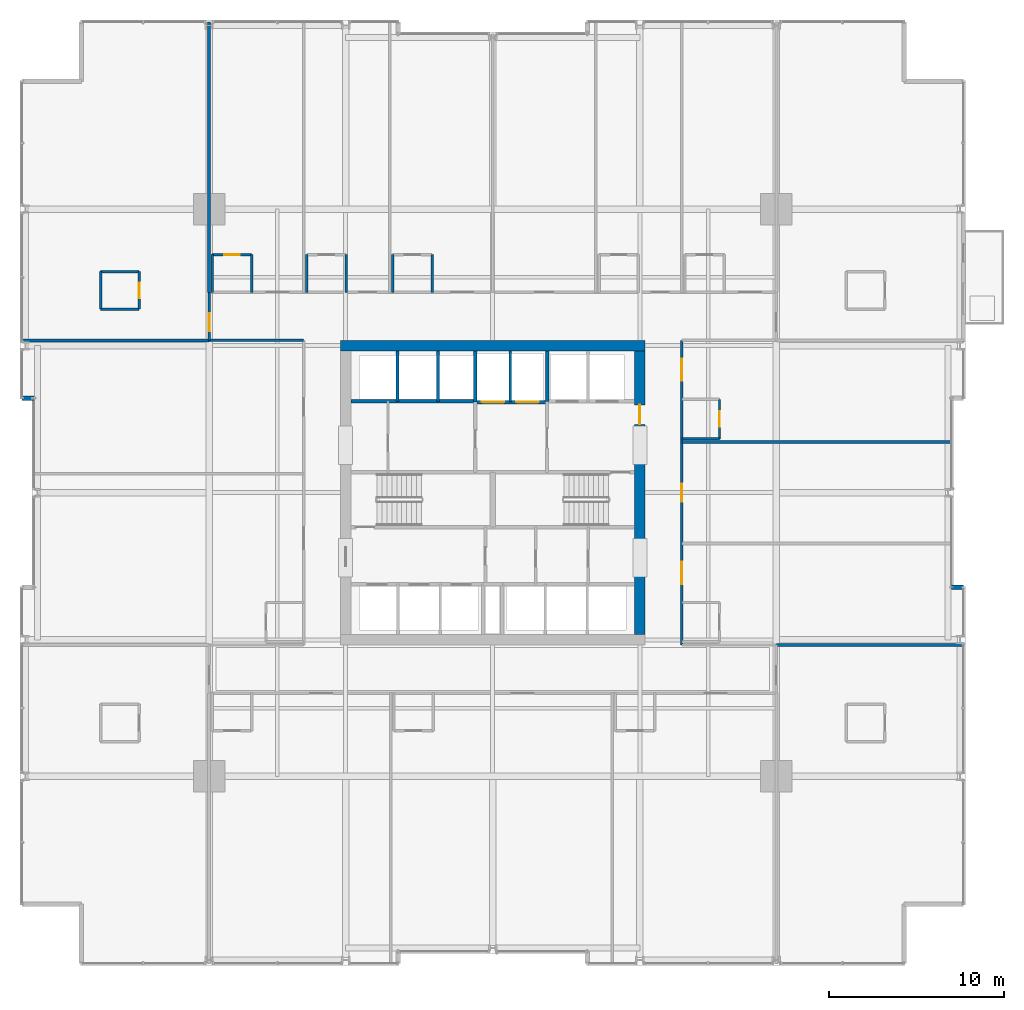
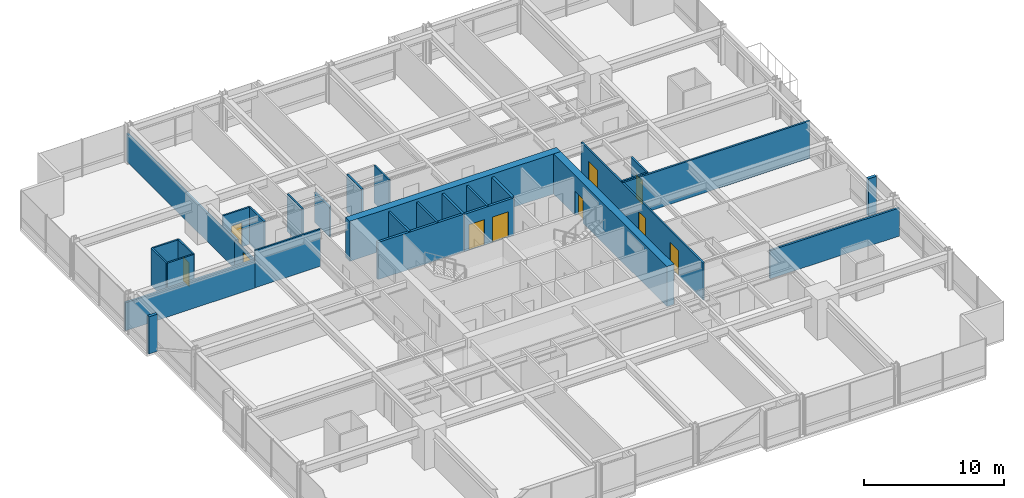
# One storey, part 32 of 38: 31 walls, 10 doors, 10 openings.
"""IFC4 building model written with IfcOpenShell, lengths in metres."""

from ifc_helpers import new_model, si_unit, direction, frame, frame_2d, origin, place, context, subcontext, project, spatial, rectangle, extrude, material, layer, layer_set, type_object, element, fill, save


model = new_model("IFC4")

# Units and contexts
model_context = context("Model", 3, precision=1e-05, world=origin(), true_north=direction((0.0, 1.0)))
body_context = subcontext(model_context, "Body", "Model", "MODEL_VIEW")
ifc_project = project(units=[si_unit("LENGTHUNIT", "METRE"), si_unit("AREAUNIT", "SQUARE_METRE"), si_unit("VOLUMEUNIT", "CUBIC_METRE"), si_unit("PLANEANGLEUNIT", "RADIAN"), si_unit("MASSUNIT", "GRAM", prefix="KILO")], contexts=[model_context])

# Site, building, storey
site_placement = place(None, origin())
site = spatial("IfcSite", under=ifc_project, at=site_placement, CompositionType="ELEMENT")
building_placement = place(site_placement, origin())
building = spatial("IfcBuilding", under=site, at=building_placement, Name="Drelvath Grand Hotel", CompositionType="ELEMENT")
storey_placement = place(building_placement, frame((0.0, 0.0, 64.699951171875)))
storey = spatial("IfcBuildingStorey", under=building, at=storey_placement, Name="L15", CompositionType="ELEMENT", Elevation=64.699951171875)

# Wall
ifc_material_1 = material(Name="Concrete C40/50", Category="concrete")
ifc_layer_1 = layer(ifc_material_1, 0.199951171875)
ifc_layer_set_1 = layer_set([ifc_layer_1], Name="Concrete C40/50")
wall_type_1 = type_object("IfcWallType", Name="Core Hoistway Fire Wall 200", PredefinedType="SOLIDWALL", material=ifc_layer_set_1)
wall_1_placement = place(storey_placement, frame((3.10009765625, 32.219970703125, 0.0), z_axis=(0.0, 0.0, 1.0), x_axis=(0.0, 1.0, 0.0)))
element("IfcWall", 1, at=wall_1_placement, inside=storey, type_object=wall_type_1, Name="L15 FSAE Hoistway West Wall", PredefinedType="SOLIDWALL", context=body_context, shape_type="SweptSolid", body=[
    extrude(rectangle(XDim=2.880126953125, YDim=0.199951171875, at=frame_2d((1.43994140625, 0.0))), origin(), (0.0, 0.0, 1.0), 3.239990234375),
])

# Wall, openings, doors
wall_2_placement = place(storey_placement, frame((-1.0, 32.179931640625, 0.0), z_axis=(0.0, 0.0, 1.0), x_axis=(1.0, 0.0, 0.0)))
wall_2 = element("IfcWall", 2, at=wall_2_placement, inside=storey, type_object=wall_type_1, Name="L15 Service Lift Hoistway Wall", PredefinedType="SOLIDWALL", context=body_context, shape_type="SweptSolid", body=[
    extrude(rectangle(XDim=4.10009765625, YDim=0.199951171875, at=frame_2d((2.050048828125, 0.0))), origin(), (0.0, 0.0, 1.0), 3.239990234375),
])
opening_1_placement = place(wall_2_placement, frame((0.3701171875, 0.0, 0.0)))
opening_1 = element("IfcOpeningElement", 3, at=opening_1_placement, cuts=wall_2, Name="Opening LD-SV-2", PredefinedType="OPENING", context=body_context, shape_type="SweptSolid", body=[
    extrude(rectangle(XDim=1.300048828125, YDim=2.199951171875, at=frame_2d((0.64990234375, 1.10009765625))), frame((0.0, 0.10986328125, 0.0), z_axis=(0.0, -1.0, 0.0), x_axis=(1.0, 0.0, 0.0)), (0.0, 0.0, 1.0), 0.219970703125),
])
opening_2_placement = place(wall_2_placement, frame((2.330078125, 0.0, 0.0)))
opening_2 = element("IfcOpeningElement", 4, at=opening_2_placement, cuts=wall_2, Name="Opening LD-SV-1", PredefinedType="OPENING", context=body_context, shape_type="SweptSolid", body=[
    extrude(rectangle(XDim=1.300048828125, YDim=2.199951171875, at=frame_2d((0.64990234375, 1.10009765625))), frame((0.0, 0.10986328125, 0.0), z_axis=(0.0, -1.0, 0.0), x_axis=(1.0, 0.0, 0.0)), (0.0, 0.0, 1.0), 0.219970703125),
])
ifc_material_2 = material(Name="Stainless Steel S355", Category="steel")
door_type_1 = type_object("IfcDoorType", Name="Service Lift Sliding Landing Door 1300x2200", OperationType="NOTDEFINED", PredefinedType="DOOR", material=ifc_material_2)
door_1_placement = place(opening_1_placement, origin())
door_1 = element("IfcDoor", 5, at=door_1_placement, inside=storey, type_object=door_type_1, Name="L15 Lift SV-2 Landing Door", OperationType="SLIDING_TO_LEFT", OverallHeight=2.199951171875, OverallWidth=1.300048828125, PredefinedType="DOOR", context=body_context, shape_type="SweptSolid", body=[
    extrude(rectangle(XDim=1.300048828125, YDim=2.199951171875, at=frame_2d((0.64990234375, 1.10009765625))), frame((0.0, 0.02490234375, 0.0), z_axis=(0.0, -1.0, 0.0), x_axis=(1.0, 0.0, 0.0)), (0.0, 0.0, 1.0), 0.050048828125),
])
fill(opening_1, door_1)
door_2_placement = place(opening_2_placement, origin())
door_2 = element("IfcDoor", 6, at=door_2_placement, inside=storey, type_object=door_type_1, Name="L15 Lift SV-1 Landing Door", OperationType="SLIDING_TO_LEFT", OverallHeight=2.199951171875, OverallWidth=1.300048828125, PredefinedType="DOOR", context=body_context, shape_type="SweptSolid", body=[
    extrude(rectangle(XDim=1.300048828125, YDim=2.199951171875, at=frame_2d((0.64990234375, 1.10009765625))), frame((0.0, 0.02490234375, 0.0), z_axis=(0.0, -1.0, 0.0), x_axis=(1.0, 0.0, 0.0)), (0.0, 0.0, 1.0), 0.050048828125),
])
fill(opening_2, door_2)

# Walls
wall_3_placement = place(storey_placement, frame((-1.0, 32.179931640625, 0.0), z_axis=(0.0, 0.0, 1.0), x_axis=(0.0, 1.0, 0.0)))
element("IfcWall", 7, at=wall_3_placement, inside=storey, type_object=wall_type_1, Name="L15 Service Lift West Wall", PredefinedType="SOLIDWALL", context=body_context, shape_type="SweptSolid", body=[
    extrude(rectangle(XDim=2.920166015625, YDim=0.199951171875, at=frame_2d((1.4599609375, 0.0))), origin(), (0.0, 0.0, 1.0), 3.239990234375),
])
wall_4_placement = place(storey_placement, frame((-8.10009765625, 32.219970703125, 0.0), z_axis=(0.0, 0.0, 1.0), x_axis=(1.0, 0.0, 0.0)))
element("IfcWall", 8, at=wall_4_placement, inside=storey, type_object=wall_type_1, Name="L15 Bank 3 Hoistway Wall", PredefinedType="SOLIDWALL", context=body_context, shape_type="SweptSolid", body=[
    extrude(rectangle(XDim=7.10009765625, YDim=0.199951171875, at=frame_2d((3.550048828125, 0.0))), origin(), (0.0, 0.0, 1.0), 3.239990234375),
])
ifc_material_3 = material(Name="Gypsum Fireboard Partition")
ifc_layer_2 = layer(ifc_material_3, 0.1650390625)
ifc_layer_set_2 = layer_set([ifc_layer_2], Name="Gypsum Fireboard Partition")
wall_type_2 = type_object("IfcWallType", Name="Core Shaft Partition 165", PredefinedType="PARTITIONING", material=ifc_layer_set_2)
wall_5_placement = place(storey_placement, frame((1.0, 32.179931640625, 0.0), z_axis=(0.0, 0.0, 1.0), x_axis=(0.0, 1.0, 0.0)))
element("IfcWall", 9, at=wall_5_placement, inside=storey, type_object=wall_type_2, Name="L15 Service Lift Divider", PredefinedType="PARTITIONING", context=body_context, shape_type="SweptSolid", body=[
    extrude(rectangle(XDim=2.920166015625, YDim=0.1650390625, at=frame_2d((1.4599609375, 0.0))), origin(), (0.0, 0.0, 1.0), 3.239990234375),
])
for number, where, z_axis, x_axis, name in (
    (10, (-5.43994140625, 32.219970703125, 0.0), (0.0, 0.0, 1.0), (0.0, 1.0, 0.0), "L15 Lift PE-7/8 Divider"),
    (11, (-3.1201171875, 32.219970703125, 0.0), (0.0, 0.0, 1.0), (0.0, 1.0, 0.0), "L15 Lift PE-8/9 Divider"),
):
    element("IfcWall", number, at=place(storey_placement, frame(where, z_axis=z_axis, x_axis=x_axis)), inside=storey, type_object=wall_type_2, Name=name, PredefinedType="PARTITIONING", context=body_context, shape_type="SweptSolid", body=[
        extrude(rectangle(XDim=2.880126953125, YDim=0.1650390625, at=frame_2d((1.43994140625, 0.0))), origin(), (0.0, 0.0, 1.0), 3.239990234375),
    ])
ifc_layer_3 = layer(ifc_material_3, 0.135009765625)
ifc_layer_set_3 = layer_set([ifc_layer_3], Name="Gypsum Fireboard Partition")
wall_type_3 = type_object("IfcWallType", Name="Corridor Fire Barrier Wall 135", PredefinedType="PARTITIONING", material=ifc_layer_set_3)
wall_6_placement = place(storey_placement, frame((-16.199951171875, 35.699951171875, 0.0), z_axis=(0.0, 0.0, 1.0), x_axis=(1.0, 0.0, 0.0)))
element("IfcWall", 12, at=wall_6_placement, inside=storey, type_object=wall_type_3, Name="L15 NW Spur Inner Wall", PredefinedType="PARTITIONING", context=body_context, shape_type="SweptSolid", body=[
    extrude(rectangle(XDim=5.39990234375, YDim=0.135009765625, at=frame_2d((2.699951171875, 0.0))), origin(), (0.0, 0.0, 1.0), 3.239990234375),
])

# Wall, openings, doors
wall_7_placement = place(storey_placement, frame((10.800048828125, 18.300048828125, 0.0), z_axis=(0.0, 0.0, 1.0), x_axis=(0.0, 1.0, 0.0)))
wall_7 = element("IfcWall", 13, at=wall_7_placement, inside=storey, type_object=wall_type_3, Name="L15 East Corridor Wall", PredefinedType="PARTITIONING", context=body_context, shape_type="SweptSolid", body=[
    extrude(rectangle(XDim=17.39990234375, YDim=0.135009765625, at=frame_2d((8.699951171875, 0.0))), origin(), (0.0, 0.0, 1.0), 3.239990234375),
])
opening_3_placement = place(wall_7_placement, frame((3.485107421875, 0.0, 0.0)))
opening_3 = element("IfcOpeningElement", 14, at=opening_3_placement, cuts=wall_7, Name="Opening D-T1G4-047", PredefinedType="OPENING", context=body_context, shape_type="SweptSolid", body=[
    extrude(rectangle(XDim=1.260009765625, YDim=2.199951171875, at=frame_2d((0.6298828125, 1.10009765625))), frame((0.0, 0.077392578125, 0.0), z_axis=(0.0, -1.0, 0.0), x_axis=(1.0, 0.0, 0.0)), (0.0, 0.0, 1.0), 0.155029296875),
])
opening_4_placement = place(wall_7_placement, frame((8.18994140625, 0.0, 0.0)))
opening_4 = element("IfcOpeningElement", 15, at=opening_4_placement, cuts=wall_7, Name="Opening D-T1G4-048", PredefinedType="OPENING", context=body_context, shape_type="SweptSolid", body=[
    extrude(rectangle(XDim=1.02001953125, YDim=2.14990234375, at=frame_2d((0.510009765625, 1.074951171875))), frame((0.0, 0.077392578125, 0.0), z_axis=(0.0, -1.0, 0.0), x_axis=(1.0, 0.0, 0.0)), (0.0, 0.0, 1.0), 0.155029296875),
])
opening_5_placement = place(wall_7_placement, frame((15.0849609375, 0.0, 0.0)))
opening_5 = element("IfcOpeningElement", 16, at=opening_5_placement, cuts=wall_7, Name="Opening D-T1G4-050", PredefinedType="OPENING", context=body_context, shape_type="SweptSolid", body=[
    extrude(rectangle(XDim=1.260009765625, YDim=2.199951171875, at=frame_2d((0.6298828125, 1.10009765625))), frame((0.0, 0.077392578125, 0.0), z_axis=(0.0, -1.0, 0.0), x_axis=(1.0, 0.0, 0.0)), (0.0, 0.0, 1.0), 0.155029296875),
])
ifc_material_4 = material(Name="Hardwood Walnut Timber", Category="wood")
door_type_2 = type_object("IfcDoorType", Name="Amenity Meeting Fire Door 1020x2150", OperationType="NOTDEFINED", PredefinedType="DOOR", material=ifc_material_4)
door_3_placement = place(opening_4_placement, origin())
door_3 = element("IfcDoor", 17, at=door_3_placement, inside=storey, type_object=door_type_2, Name="L15 Hospitality Management Office Entry Door", OperationType="SINGLE_SWING_LEFT", OverallHeight=2.14990234375, OverallWidth=1.02001953125, PredefinedType="DOOR", context=body_context, shape_type="SweptSolid", body=[
    extrude(rectangle(XDim=1.02001953125, YDim=2.14990234375, at=frame_2d((0.510009765625, 1.074951171875))), frame((0.0, 0.02490234375, 0.0), z_axis=(0.0, -1.0, 0.0), x_axis=(1.0, 0.0, 0.0)), (0.0, 0.0, 1.0), 0.050048828125),
])
fill(opening_4, door_3)
door_type_3 = type_object("IfcDoorType", Name="Suite Entrance Fire Door 1260x2200", OperationType="NOTDEFINED", PredefinedType="DOOR", material=ifc_material_4)
door_4_placement = place(opening_3_placement, origin())
door_4 = element("IfcDoor", 18, at=door_4_placement, inside=storey, type_object=door_type_3, Name="L15 Corner Suite Entry Door", OperationType="SINGLE_SWING_RIGHT", OverallHeight=2.199951171875, OverallWidth=1.260009765625, PredefinedType="DOOR", context=body_context, shape_type="SweptSolid", body=[
    extrude(rectangle(XDim=1.260009765625, YDim=2.199951171875, at=frame_2d((0.6298828125, 1.10009765625))), frame((0.0, 0.02490234375, 0.0), z_axis=(0.0, -1.0, 0.0), x_axis=(1.0, 0.0, 0.0)), (0.0, 0.0, 1.0), 0.050048828125),
])
fill(opening_3, door_4)
door_5_placement = place(opening_5_placement, origin())
door_5 = element("IfcDoor", 19, at=door_5_placement, inside=storey, type_object=door_type_3, Name="L15 Corner Suite Entry Door", OperationType="SINGLE_SWING_LEFT", OverallHeight=2.199951171875, OverallWidth=1.260009765625, PredefinedType="DOOR", context=body_context, shape_type="SweptSolid", body=[
    extrude(rectangle(XDim=1.260009765625, YDim=2.199951171875, at=frame_2d((0.6298828125, 1.10009765625))), frame((0.0, 0.02490234375, 0.0), z_axis=(0.0, -1.0, 0.0), x_axis=(1.0, 0.0, 0.0)), (0.0, 0.0, 1.0), 0.050048828125),
])
fill(opening_5, door_5)

# Wall, opening, door
wall_8_placement = place(storey_placement, frame((-16.199951171875, 35.699951171875, 0.0), z_axis=(0.0, 0.0, 1.0), x_axis=(0.0, 1.0, 0.0)))
wall_8 = element("IfcWall", 20, at=wall_8_placement, inside=storey, type_object=wall_type_3, Name="L15 North Corridor West End", PredefinedType="PARTITIONING", context=body_context, shape_type="SweptSolid", body=[
    extrude(rectangle(XDim=2.75, YDim=0.135009765625, at=frame_2d((1.375, 0.0))), origin(), (0.0, 0.0, 1.0), 2.451904296875),
])
opening_6_placement = place(wall_8_placement, frame((0.52001953125, 0.0, 0.0)))
opening_6 = element("IfcOpeningElement", 21, at=opening_6_placement, cuts=wall_8, Name="Opening D-T1G4-023", PredefinedType="OPENING", context=body_context, shape_type="SweptSolid", body=[
    extrude(rectangle(XDim=1.02001953125, YDim=2.14990234375, at=frame_2d((0.510009765625, 1.074951171875))), frame((0.0, 0.077392578125, 0.0), z_axis=(0.0, -1.0, 0.0), x_axis=(1.0, 0.0, 0.0)), (0.0, 0.0, 1.0), 0.155029296875),
])
door_6_placement = place(opening_6_placement, origin())
door_6 = element("IfcDoor", 22, at=door_6_placement, inside=storey, type_object=door_type_2, Name="L15 Corner Suite Entry Door", OperationType="SINGLE_SWING_RIGHT", OverallHeight=2.14990234375, OverallWidth=1.02001953125, PredefinedType="DOOR", context=body_context, shape_type="SweptSolid", body=[
    extrude(rectangle(XDim=1.02001953125, YDim=2.14990234375, at=frame_2d((0.510009765625, 1.074951171875))), frame((0.0, 0.02490234375, 0.0), z_axis=(0.0, -1.0, 0.0), x_axis=(1.0, 0.0, 0.0)), (0.0, 0.0, 1.0), 0.050048828125),
])
fill(opening_6, door_6)

# Walls
ifc_material_5 = material(Name="Moisture-Resistant Gypsum Board")
ifc_layer_4 = layer(ifc_material_5, 0.139892578125)
ifc_layer_set_4 = layer_set([ifc_layer_4], Name="Moisture-Resistant Gypsum Board")
wall_type_4 = type_object("IfcWallType", Name="En-Suite Plumbing Wall 140", PredefinedType="PLUMBINGWALL", material=ifc_layer_set_4)
for number, where, z_axis, x_axis, name in (
    (23, (-22.39990234375, 37.47998046875, 0.0), (0.0, 0.0, 1.0), (1.0, 0.0, 0.0), "L15 Corner En-Suite South"),
    (24, (-22.39990234375, 39.6298828125, 0.0), (0.0, 0.0, 1.0), (1.0, 0.0, 0.0), "L15 Corner En-Suite North"),
):
    element("IfcWall", number, at=place(storey_placement, frame(where, z_axis=z_axis, x_axis=x_axis)), inside=storey, type_object=wall_type_4, Name=name, PredefinedType="PLUMBINGWALL", context=body_context, shape_type="SweptSolid", body=[
        extrude(rectangle(XDim=2.199951171875, YDim=0.139892578125, at=frame_2d((1.10009765625, 0.0))), origin(), (0.0, 0.0, 1.0), 3.239990234375),
    ])
wall_9_placement = place(storey_placement, frame((-22.39990234375, 37.47998046875, 0.0), z_axis=(0.0, 0.0, 1.0), x_axis=(0.0, 1.0, 0.0)))
element("IfcWall", 25, at=wall_9_placement, inside=storey, type_object=wall_type_4, Name="L15 Corner En-Suite West", PredefinedType="PLUMBINGWALL", context=body_context, shape_type="SweptSolid", body=[
    extrude(rectangle(XDim=2.14990234375, YDim=0.139892578125, at=frame_2d((1.074951171875, 0.0))), origin(), (0.0, 0.0, 1.0), 3.239990234375),
])

# Wall, opening, door
wall_10_placement = place(storey_placement, frame((-20.199951171875, 37.47998046875, 0.0), z_axis=(0.0, 0.0, 1.0), x_axis=(0.0, 1.0, 0.0)))
wall_10 = element("IfcWall", 26, at=wall_10_placement, inside=storey, type_object=wall_type_4, Name="L15 Corner En-Suite East", PredefinedType="PLUMBINGWALL", context=body_context, shape_type="SweptSolid", body=[
    extrude(rectangle(XDim=2.14990234375, YDim=0.139892578125, at=frame_2d((1.074951171875, 0.0))), origin(), (0.0, 0.0, 1.0), 3.239990234375),
])
opening_7_placement = place(wall_10_placement, frame((0.6201171875, 0.0, 0.0)))
opening_7 = element("IfcOpeningElement", 27, at=opening_7_placement, cuts=wall_10, Name="Opening D-T1G4-022", PredefinedType="OPENING", context=body_context, shape_type="SweptSolid", body=[
    extrude(rectangle(XDim=0.8798828125, YDim=2.10009765625, at=frame_2d((0.43994140625, 1.050048828125))), frame((0.0, 0.079833984375, 0.0), z_axis=(0.0, -1.0, 0.0), x_axis=(1.0, 0.0, 0.0)), (0.0, 0.0, 1.0), 0.159912109375),
])
door_type_4 = type_object("IfcDoorType", Name="En-Suite Bathroom Door 880x2100", OperationType="NOTDEFINED", PredefinedType="DOOR", material=ifc_material_4)
door_7_placement = place(opening_7_placement, origin())
door_7 = element("IfcDoor", 28, at=door_7_placement, inside=storey, type_object=door_type_4, Name="L15 Corner En-Suite Door", OperationType="SINGLE_SWING_LEFT", OverallHeight=2.10009765625, OverallWidth=0.8798828125, PredefinedType="DOOR", context=body_context, shape_type="SweptSolid", body=[
    extrude(rectangle(XDim=0.8798828125, YDim=2.10009765625, at=frame_2d((0.43994140625, 1.050048828125))), frame((0.0, 0.02490234375, 0.0), z_axis=(0.0, -1.0, 0.0), x_axis=(1.0, 0.0, 0.0)), (0.0, 0.0, 1.0), 0.050048828125),
])
fill(opening_7, door_7)

# Walls
wall_11_placement = place(storey_placement, frame((-16.02001953125, 38.449951171875, 0.0), z_axis=(0.0, 0.0, 1.0), x_axis=(0.0, 1.0, 0.0)))
element("IfcWall", 29, at=wall_11_placement, inside=storey, type_object=wall_type_4, Name="L15 En-Suite Left Wall", PredefinedType="PLUMBINGWALL", context=body_context, shape_type="SweptSolid", body=[
    extrude(rectangle(XDim=2.150146484375, YDim=0.139892578125, at=frame_2d((1.0751953125, 0.0))), origin(), (0.0, 0.0, 1.0), 2.451904296875),
])
wall_12_placement = place(storey_placement, frame((-13.77001953125, 38.449951171875, 0.0), z_axis=(0.0, 0.0, 1.0), x_axis=(0.0, 1.0, 0.0)))
element("IfcWall", 30, at=wall_12_placement, inside=storey, type_object=wall_type_4, Name="L15 En-Suite Right Wall", PredefinedType="PLUMBINGWALL", context=body_context, shape_type="SweptSolid", body=[
    extrude(rectangle(XDim=2.150146484375, YDim=0.139892578125, at=frame_2d((1.0751953125, 0.0))), origin(), (0.0, 0.0, 1.0), 3.239990234375),
])

# Wall, opening, door
wall_13_placement = place(storey_placement, frame((-16.02001953125, 40.60009765625, 0.0), z_axis=(0.0, 0.0, 1.0), x_axis=(1.0, 0.0, 0.0)))
wall_13 = element("IfcWall", 31, at=wall_13_placement, inside=storey, type_object=wall_type_4, Name="L15 En-Suite Front Wall", PredefinedType="PLUMBINGWALL", context=body_context, shape_type="SweptSolid", body=[
    extrude(rectangle(XDim=2.25, YDim=0.139892578125, at=frame_2d((1.125, 0.0))), origin(), (0.0, 0.0, 1.0), 3.239990234375),
])
opening_8_placement = place(wall_13_placement, frame((0.68505859375, 0.0, 0.0)))
opening_8 = element("IfcOpeningElement", 32, at=opening_8_placement, cuts=wall_13, Name="Opening D-T1G4-032", PredefinedType="OPENING", context=body_context, shape_type="SweptSolid", body=[
    extrude(rectangle(XDim=0.8798828125, YDim=2.10009765625, at=frame_2d((0.43994140625, 1.050048828125))), frame((0.0, 0.079833984375, 0.0), z_axis=(0.0, -1.0, 0.0), x_axis=(1.0, 0.0, 0.0)), (0.0, 0.0, 1.0), 0.159912109375),
])
door_8_placement = place(opening_8_placement, origin())
door_8 = element("IfcDoor", 33, at=door_8_placement, inside=storey, type_object=door_type_4, Name="L15 En-Suite Bathroom Door", OperationType="SINGLE_SWING_LEFT", OverallHeight=2.10009765625, OverallWidth=0.8798828125, PredefinedType="DOOR", context=body_context, shape_type="SweptSolid", body=[
    extrude(rectangle(XDim=0.8798828125, YDim=2.10009765625, at=frame_2d((0.43994140625, 1.050048828125))), frame((0.0, 0.02490234375, 0.0), z_axis=(0.0, -1.0, 0.0), x_axis=(1.0, 0.0, 0.0)), (0.0, 0.0, 1.0), 0.050048828125),
])
fill(opening_8, door_8)

# Walls
wall_14_placement = place(storey_placement, frame((-10.6201171875, 38.449951171875, 0.0), z_axis=(0.0, 0.0, 1.0), x_axis=(0.0, 1.0, 0.0)))
element("IfcWall", 34, at=wall_14_placement, inside=storey, type_object=wall_type_4, Name="L15 En-Suite Left Wall", PredefinedType="PLUMBINGWALL", context=body_context, shape_type="SweptSolid", body=[
    extrude(rectangle(XDim=2.150146484375, YDim=0.139892578125, at=frame_2d((1.0751953125, 0.0))), origin(), (0.0, 0.0, 1.0), 3.239990234375),
])
wall_15_placement = place(storey_placement, frame((-8.3701171875, 38.449951171875, 0.0), z_axis=(0.0, 0.0, 1.0), x_axis=(0.0, 1.0, 0.0)))
element("IfcWall", 35, at=wall_15_placement, inside=storey, type_object=wall_type_4, Name="L15 En-Suite Right Wall", PredefinedType="PLUMBINGWALL", context=body_context, shape_type="SweptSolid", body=[
    extrude(rectangle(XDim=2.150146484375, YDim=0.139892578125, at=frame_2d((1.0751953125, 0.0))), origin(), (0.0, 0.0, 1.0), 2.617431640625),
])
for number, where, z_axis, x_axis, name in (
    (36, (-5.7109375, 38.449951171875, 0.0), (0.0, 0.0, 1.0), (0.0, 1.0, 0.0), "L15 En-Suite Left Wall"),
    (37, (-3.4609375, 38.449951171875, 0.0), (0.0, 0.0, 1.0), (0.0, 1.0, 0.0), "L15 En-Suite Right Wall"),
):
    element("IfcWall", number, at=place(storey_placement, frame(where, z_axis=z_axis, x_axis=x_axis)), inside=storey, type_object=wall_type_4, Name=name, PredefinedType="PLUMBINGWALL", context=body_context, shape_type="SweptSolid", body=[
        extrude(rectangle(XDim=2.150146484375, YDim=0.139892578125, at=frame_2d((1.0751953125, 0.0))), origin(), (0.0, 0.0, 1.0), 3.239990234375),
    ])
wall_16_placement = place(storey_placement, frame((10.800048828125, 30.080078125, 0.0), z_axis=(0.0, 0.0, 1.0), x_axis=(1.0, 0.0, 0.0)))
element("IfcWall", 38, at=wall_16_placement, inside=storey, type_object=wall_type_4, Name="L15 En-Suite Left Wall", PredefinedType="PLUMBINGWALL", context=body_context, shape_type="SweptSolid", body=[
    extrude(rectangle(XDim=2.14990234375, YDim=0.139892578125, at=frame_2d((1.074951171875, 0.0))), origin(), (0.0, 0.0, 1.0), 3.239990234375),
])

# Wall, opening, door
wall_17_placement = place(storey_placement, frame((12.949951171875, 30.080078125, 0.0), z_axis=(0.0, 0.0, 1.0), x_axis=(0.0, 1.0, 0.0)))
wall_17 = element("IfcWall", 39, at=wall_17_placement, inside=storey, type_object=wall_type_4, Name="L15 En-Suite Front Wall", PredefinedType="PLUMBINGWALL", context=body_context, shape_type="SweptSolid", body=[
    extrude(rectangle(XDim=2.25, YDim=0.139892578125, at=frame_2d((1.125, 0.0))), origin(), (0.0, 0.0, 1.0), 3.239990234375),
])
opening_9_placement = place(wall_17_placement, frame((0.68505859375, 0.0, 0.0)))
opening_9 = element("IfcOpeningElement", 40, at=opening_9_placement, cuts=wall_17, Name="Opening D-T1G4-049", PredefinedType="OPENING", context=body_context, shape_type="SweptSolid", body=[
    extrude(rectangle(XDim=0.8798828125, YDim=2.10009765625, at=frame_2d((0.43994140625, 1.050048828125))), frame((0.0, 0.079833984375, 0.0), z_axis=(0.0, -1.0, 0.0), x_axis=(1.0, 0.0, 0.0)), (0.0, 0.0, 1.0), 0.159912109375),
])
door_9_placement = place(opening_9_placement, origin())
door_9 = element("IfcDoor", 41, at=door_9_placement, inside=storey, type_object=door_type_4, Name="L15 En-Suite Bathroom Door", OperationType="SINGLE_SWING_RIGHT", OverallHeight=2.10009765625, OverallWidth=0.8798828125, PredefinedType="DOOR", context=body_context, shape_type="SweptSolid", body=[
    extrude(rectangle(XDim=0.8798828125, YDim=2.10009765625, at=frame_2d((0.43994140625, 1.050048828125))), frame((0.0, 0.02490234375, 0.0), z_axis=(0.0, -1.0, 0.0), x_axis=(1.0, 0.0, 0.0)), (0.0, 0.0, 1.0), 0.050048828125),
])
fill(opening_9, door_9)

# Walls
ifc_material_6 = material(Name="Gypsum Acoustic Partition")
ifc_layer_5 = layer(ifc_material_6, 0.14990234375)
ifc_layer_set_5 = layer_set([ifc_layer_5], Name="Gypsum Acoustic Partition")
wall_type_5 = type_object("IfcWallType", Name="Guestroom Demising Wall 150", PredefinedType="PARTITIONING", material=ifc_layer_set_5)
wall_18_placement = place(storey_placement, frame((10.800048828125, 29.89990234375, 0.0), z_axis=(0.0, 0.0, 1.0), x_axis=(1.0, 0.0, 0.0)))
element("IfcWall", 42, at=wall_18_placement, inside=storey, type_object=wall_type_5, Name="L15 East Demising 2", PredefinedType="PARTITIONING", context=body_context, shape_type="SweptSolid", body=[
    extrude(rectangle(XDim=15.39990234375, YDim=0.14990234375, at=frame_2d((7.699951171875, 0.0))), origin(), (0.0, 0.0, 1.0), 3.239990234375),
])
ifc_material_7 = material(Name="Concrete f'c 70 MPa", Category="concrete")
ifc_layer_6 = layer(ifc_material_7, 0.60009765625)
ifc_layer_set_6 = layer_set([ifc_layer_6], Name="Concrete f'c 70 MPa")
wall_type_6 = type_object("IfcWallType", Name="Lower Core RC Shear Wall 600", PredefinedType="SHEAR", material=ifc_layer_set_6)
wall_19_placement = place(storey_placement, frame((-8.699951171875, 35.39990234375, 0.0), z_axis=(0.0, 0.0, 1.0), x_axis=(1.0, 0.0, 0.0)))
element("IfcWall", 43, at=wall_19_placement, inside=storey, type_object=wall_type_6, Name="L15 Central Core Shear Wall N", PredefinedType="SHEAR", context=body_context, shape_type="SweptSolid", body=[
    extrude(rectangle(XDim=17.39990234375, YDim=0.60009765625, at=frame_2d((8.699951171875, 0.0))), origin(), (0.0, 0.0, 1.0), 3.5),
])

# Wall, opening, door
wall_20_placement = place(storey_placement, frame((8.39990234375, 35.10009765625, 0.0), z_axis=(0.0, 0.0, 1.0), x_axis=(0.0, -1.0, 0.0)))
wall_20 = element("IfcWall", 44, at=wall_20_placement, inside=storey, type_object=wall_type_6, Name="L15 Central Core Shear Wall E", PredefinedType="SHEAR", context=body_context, shape_type="SweptSolid", body=[
    extrude(rectangle(XDim=16.2001953125, YDim=0.60009765625, at=frame_2d((8.10009765625, 0.0))), origin(), (0.0, 0.0, 1.0), 3.5),
])
opening_10_placement = place(wall_20_placement, frame((3.080078125, 0.0, 0.0)))
opening_10 = element("IfcOpeningElement", 45, at=opening_10_placement, cuts=wall_20, Name="Opening D-T1G4-006", PredefinedType="OPENING", context=body_context, shape_type="SweptSolid", body=[
    extrude(rectangle(XDim=1.1201171875, YDim=2.10009765625, at=frame_2d((0.56005859375, 1.050048828125))), frame((0.0, 0.31005859375, 0.0), z_axis=(0.0, -1.0, 0.0), x_axis=(1.0, 0.0, 0.0)), (0.0, 0.0, 1.0), 0.6201171875),
])
ifc_material_8 = material(Name="Painted Steel S275", Category="steel")
door_type_5 = type_object("IfcDoorType", Name="FSAE Smoke Lobby Fire Door 1120x2100", OperationType="NOTDEFINED", PredefinedType="DOOR", material=ifc_material_8)
door_10_placement = place(opening_10_placement, origin())
door_10 = element("IfcDoor", 46, at=door_10_placement, inside=storey, type_object=door_type_5, Name="L15 FSAE Lobby East Corridor Door", OperationType="SINGLE_SWING_LEFT", OverallHeight=2.10009765625, OverallWidth=1.1201171875, PredefinedType="DOOR", context=body_context, shape_type="SweptSolid", body=[
    extrude(rectangle(XDim=1.1201171875, YDim=2.10009765625, at=frame_2d((0.56005859375, 1.050048828125))), frame((0.0, 0.02490234375, 0.0), z_axis=(0.0, -1.0, 0.0), x_axis=(1.0, 0.0, 0.0)), (0.0, 0.0, 1.0), 0.050048828125),
])
fill(opening_10, door_10)

# Walls
ifc_layer_7 = layer(ifc_material_6, 0.1650390625)
ifc_layer_set_7 = layer_set([ifc_layer_7], Name="Gypsum Acoustic Partition")
wall_type_7 = type_object("IfcWallType", Name="Suite Demising Wall 165", PredefinedType="PARTITIONING", material=ifc_layer_set_7)
wall_21_placement = place(storey_placement, frame((-16.199951171875, 38.449951171875, 0.0), z_axis=(0.0, 0.0, 1.0), x_axis=(0.0, 1.0, 0.0)))
element("IfcWall", 47, at=wall_21_placement, inside=storey, type_object=wall_type_7, Name="L15 NW Wing Boundary Wall", PredefinedType="PARTITIONING", context=body_context, shape_type="SweptSolid", body=[
    extrude(rectangle(XDim=15.429931640625, YDim=0.1650390625, at=frame_2d((7.71484375, 0.0))), origin(), (0.0, 0.0, 1.0), 2.451904296875),
])
for number, where, z_axis, x_axis, name in (
    (48, (16.199951171875, 18.300048828125, 0.0), (0.0, 0.0, 1.0), (1.0, 0.0, 0.0), "L15 SE Corner North Wall"),
    (49, (-26.8798828125, 35.699951171875, 0.0), (0.0, 0.0, 1.0), (1.0, 0.0, 0.0), "L15 NW Corner South Wall"),
):
    element("IfcWall", number, at=place(storey_placement, frame(where, z_axis=z_axis, x_axis=x_axis)), inside=storey, type_object=wall_type_7, Name=name, PredefinedType="PARTITIONING", context=body_context, shape_type="SweptSolid", body=[
        extrude(rectangle(XDim=10.679931640625, YDim=0.1650390625, at=frame_2d((5.33984375, 0.0))), origin(), (0.0, 0.0, 1.0), 2.451904296875),
    ])
ifc_material_9 = material(Name="Pale-Metal Insulated Aluminium Spandrel Assembly", Category="aluminium")
ifc_layer_8 = layer(ifc_material_9, 0.239990234375)
ifc_layer_set_8 = layer_set([ifc_layer_8], Name="Pale-Metal Insulated Aluminium Spandrel Assembly")
wall_type_8 = type_object("IfcWallType", Name="Tower Insulated Metal Spandrel Closure Wall 240", PredefinedType="STANDARD", material=ifc_layer_set_8)
for number, where, z_axis, x_axis, name in (
    (50, (-26.199951171875, 32.39990234375, 0.0), (0.0, 0.0, 1.0), (-1.0, 0.0, 0.0), "L15 Notched Corner Return Spandrel Wall RW2"),
    (51, (26.199951171875, 21.60009765625, 0.0), (0.0, 0.0, 1.0), (1.0, 0.0, 0.0), "L15 Notched Corner Return Spandrel Wall RE2"),
):
    element("IfcWall", number, at=place(storey_placement, frame(where, z_axis=z_axis, x_axis=x_axis)), inside=storey, type_object=wall_type_8, Name=name, PredefinedType="STANDARD", context=body_context, shape_type="SweptSolid", body=[
        extrude(rectangle(XDim=0.679931640625, YDim=0.239990234375, at=frame_2d((0.33984375, 0.0))), origin(), (0.0, 0.0, 1.0), 3.239990234375),
    ])

save(model, "model.ifc")
